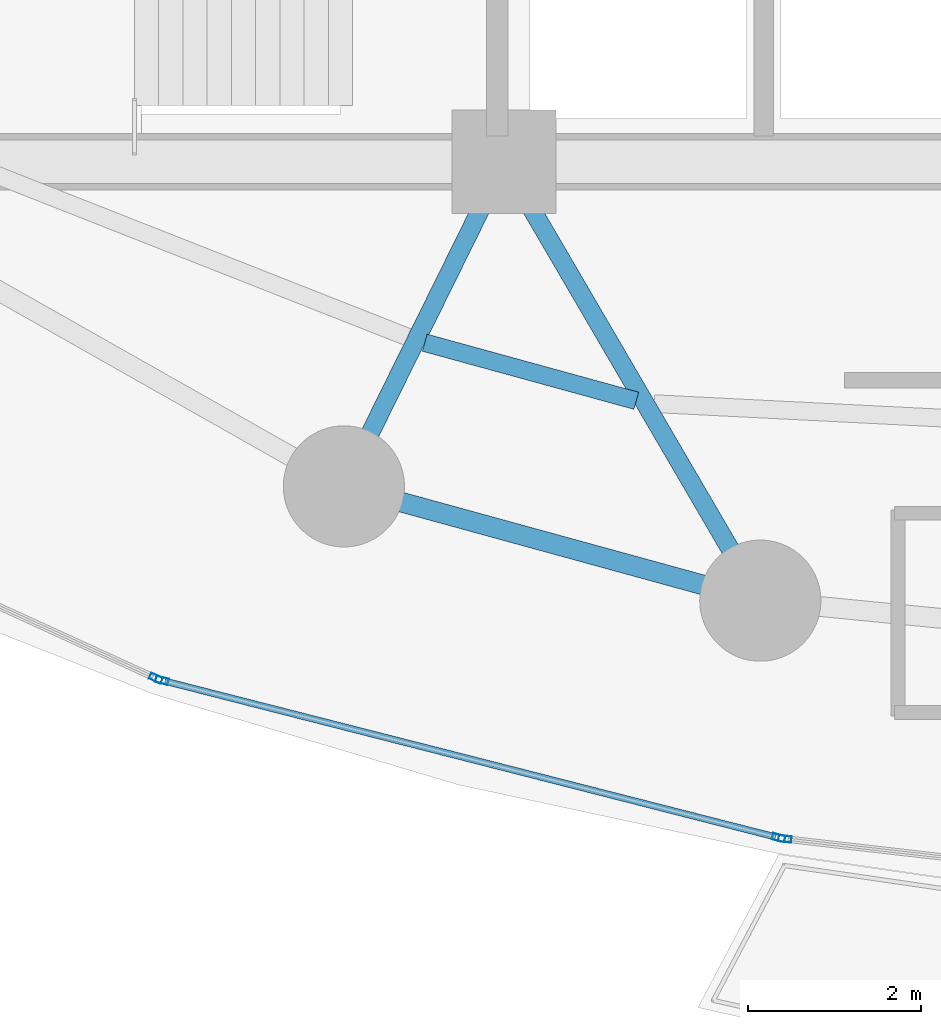
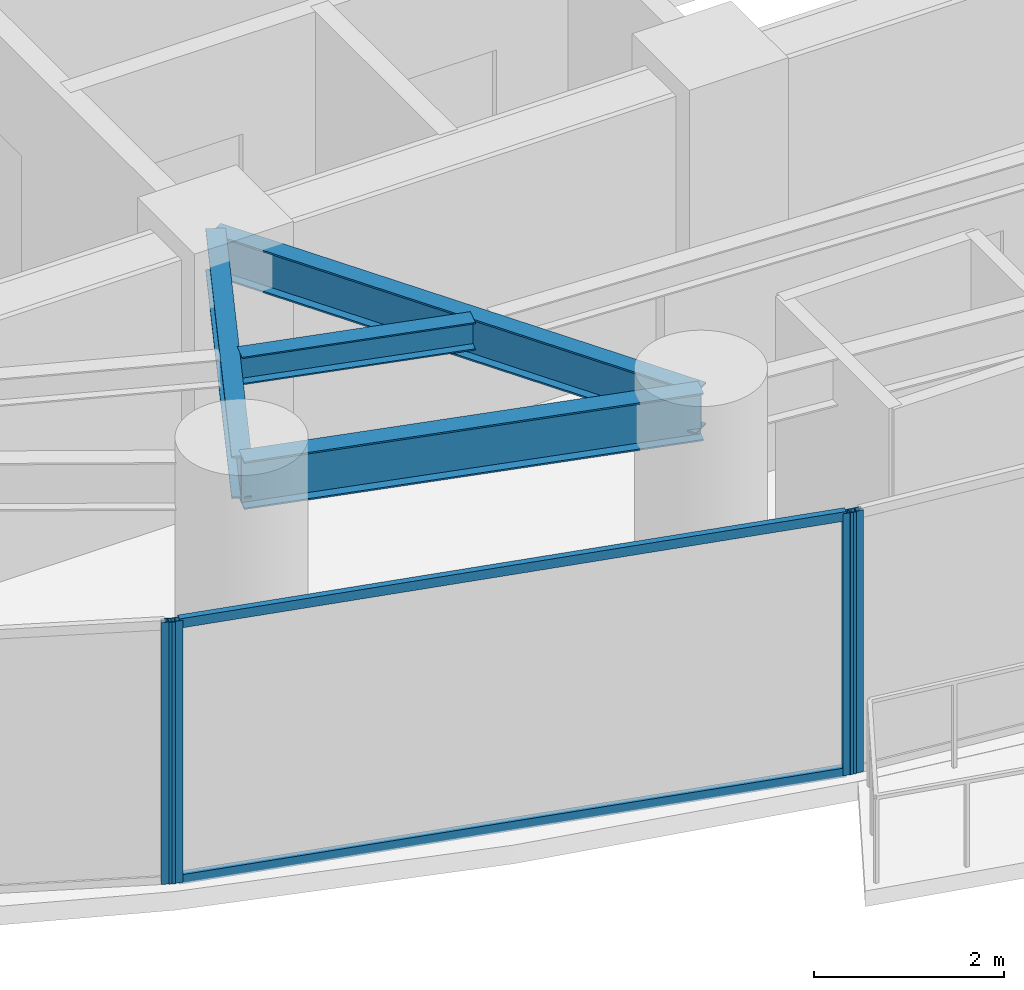
# One storey, part 5 of 33: 6 members, 4 beams, 3 elements without a shape of their own.
"""IFC4 building model written with IfcOpenShell, lengths in metres."""

from ifc_helpers import new_model, si_unit, direction, frame, origin, origin_2d, place, context, subcontext, project, spatial, hollow_rectangle, i_section, extrude, material, layer, layer_set, material_profile, profile_set, type_object, element, aggregate, save


model = new_model("IFC4")

# Units and contexts
model_context = context("Model", 3, precision=1e-05, world=origin(), true_north=direction((0.0, 1.0)))
body_context = subcontext(model_context, "Body", "Model", "MODEL_VIEW")
ifc_project = project(units=[si_unit("LENGTHUNIT", "METRE"), si_unit("AREAUNIT", "SQUARE_METRE"), si_unit("VOLUMEUNIT", "CUBIC_METRE"), si_unit("PLANEANGLEUNIT", "RADIAN"), si_unit("MASSUNIT", "GRAM", prefix="KILO")], contexts=[model_context])

# Site, building, storey
site_placement = place(None, origin())
site = spatial("IfcSite", under=ifc_project, at=site_placement, CompositionType="ELEMENT")
building_placement = place(site_placement, origin())
building = spatial("IfcBuilding", under=site, at=building_placement, Name="Kazevale Care Tower and Concert Hall", CompositionType="ELEMENT")
storey_placement = place(building_placement, frame((0.0, 0.0, 27.60009765625)))
storey = spatial("IfcBuildingStorey", under=building, at=storey_placement, Name="L06", CompositionType="ELEMENT", Elevation=27.60009765625)

# Curtain wall, member
ifc_material_1 = material(Name="Aluminium 6063-T6 and Low-E Glass", Category="aluminium")
ifc_layer = layer(ifc_material_1, 0.179931640625)
ifc_layer_set = layer_set([ifc_layer], Name="Aluminium 6063-T6 and Low-E Glass")
curtain_wall_type = type_object("IfcCurtainWallType", Name="Sheltered Concave Balcony Curtain Wall CW-5", PredefinedType="NOTDEFINED", material=ifc_layer_set)
curtain_wall_1_placement = place(storey_placement, origin())
curtain_wall_1 = element("IfcCurtainWall", 1, at=curtain_wall_1_placement, inside=storey, type_object=curtain_wall_type, Name="cw:L06:f07", PredefinedType="NOTDEFINED")
ifc_material_2 = material(Name="Aluminium 6063-T6", Category="aluminium")
ifc_material_profile_1 = material_profile(ifc_material_2, hollow_rectangle(XDim=0.074951171875, YDim=0.14990234375, WallThickness=0.00390625, at=origin_2d()), Name="ALU75x150x4")
ifc_profile_set_1 = profile_set([ifc_material_profile_1], Name="Aluminium 6063-T6")
member_type_1 = type_object("IfcMemberType", Name="CW-5 Mullion ALU75x150x4", PredefinedType="MULLION", material=ifc_profile_set_1)
member_1_placement = place(storey_placement, frame((33.245361328125, 15.77783203125, 0.0), z_axis=(0.0, 0.0, 1.0), x_axis=(-0.113704773808, -0.993514581883, 0.0)))
member_1 = element("IfcMember", 2, at=member_1_placement, type_object=member_type_1, Name="CW-5 mullion 2", PredefinedType="MULLION", context=body_context, shape_type="SweptSolid", body=[
    extrude(hollow_rectangle(XDim=0.074951171875, YDim=0.14990234375, WallThickness=0.00390625, at=origin_2d()), origin(), (0.0, 0.0, 1.0), 3.35986328125),
])
aggregate(curtain_wall_1, [member_1])

# Curtain wall, members
curtain_wall_2_placement = place(storey_placement, origin())
curtain_wall_2 = element("IfcCurtainWall", 3, at=curtain_wall_2_placement, inside=storey, type_object=curtain_wall_type, Name="cw:L06:f08", PredefinedType="NOTDEFINED")
member_2_placement = place(storey_placement, frame((33.171630859375, 15.791259765625, 0.0), z_axis=(0.0, 0.0, 1.0), x_axis=(-0.247221864936, -0.968958899798, 0.0)))
member_2 = element("IfcMember", 4, at=member_2_placement, type_object=member_type_1, Name="CW-5 mullion 1", PredefinedType="MULLION", context=body_context, shape_type="SweptSolid", body=[
    extrude(hollow_rectangle(XDim=0.074951171875, YDim=0.14990234375, WallThickness=0.00390625, at=origin_2d()), origin(), (0.0, 0.0, 1.0), 3.35986328125),
])
member_3_placement = place(storey_placement, frame((26.04833984375, 17.608642578125, 0.0), z_axis=(0.0, 0.0, 1.0), x_axis=(-0.247221864936, -0.968958899798, 0.0)))
member_3 = element("IfcMember", 5, at=member_3_placement, type_object=member_type_1, Name="CW-5 mullion 2", PredefinedType="MULLION", context=body_context, shape_type="SweptSolid", body=[
    extrude(hollow_rectangle(XDim=0.074951171875, YDim=0.14990234375, WallThickness=0.00390625, at=origin_2d()), origin(), (0.0, 0.0, 1.0), 3.35986328125),
])

# Curtain wall, member
curtain_wall_3_placement = place(storey_placement, origin())
curtain_wall_3 = element("IfcCurtainWall", 6, at=curtain_wall_3_placement, inside=storey, type_object=curtain_wall_type, Name="cw:L06:f09", PredefinedType="NOTDEFINED")
member_4_placement = place(storey_placement, frame((25.977783203125, 17.633544921875, 0.0), z_axis=(0.0, 0.0, 1.0), x_axis=(-0.415659767773, -0.909520179795, 0.0)))
member_4 = element("IfcMember", 7, at=member_4_placement, type_object=member_type_1, Name="CW-5 mullion 1", PredefinedType="MULLION", context=body_context, shape_type="SweptSolid", body=[
    extrude(hollow_rectangle(XDim=0.074951171875, YDim=0.14990234375, WallThickness=0.00390625, at=origin_2d()), origin(), (0.0, 0.0, 1.0), 3.35986328125),
])
aggregate(curtain_wall_3, [member_4])

# Member
ifc_material_profile_2 = material_profile(ifc_material_2, hollow_rectangle(XDim=0.074951171875, YDim=0.1201171875, WallThickness=0.00390625, at=origin_2d()), Name="ALU75x120x4")
ifc_profile_set_2 = profile_set([ifc_material_profile_2], Name="Aluminium 6063-T6")
member_type_2 = type_object("IfcMemberType", Name="CW-5 Transom ALU75x120x4", PredefinedType="USERDEFINED", material=ifc_profile_set_2)
member_5_placement = place(storey_placement, frame((33.13525390625, 15.800537109375, 0.037353515625), z_axis=(-0.968960816419, 0.24721435283, 0.0), x_axis=(-0.24721435283, -0.968960816419, 0.0)))
member_5 = element("IfcMember", 8, at=member_5_placement, type_object=member_type_2, Name="CW-5 transom 1.1", ObjectType="TRANSOM", PredefinedType="USERDEFINED", context=body_context, shape_type="SweptSolid", body=[
    extrude(hollow_rectangle(XDim=0.074951171875, YDim=0.1201171875, WallThickness=0.00390625, at=origin_2d()), origin(), (0.0, 0.0, 1.0), 7.2763671875),
])

member_6_placement = place(storey_placement, frame((33.13525390625, 15.800537109375, 3.322509765625), z_axis=(-0.968960816419, 0.24721435283, 0.0), x_axis=(-0.24721435283, -0.968960816419, 0.0)))
member_6 = element("IfcMember", 9, at=member_6_placement, type_object=member_type_2, Name="CW-5 transom 1.2", ObjectType="TRANSOM", PredefinedType="USERDEFINED", context=body_context, shape_type="SweptSolid", body=[
    extrude(hollow_rectangle(XDim=0.074951171875, YDim=0.1201171875, WallThickness=0.00390625, at=origin_2d()), origin(), (0.0, 0.0, 1.0), 7.2763671875),
])

aggregate(curtain_wall_2, [member_2, member_3, member_5, member_6])

# Beams
ifc_material_3 = material(Name="Steel ASTM A572 Gr 50", Category="steel")
ifc_material_profile_3 = material_profile(ifc_material_3, i_section(OverallWidth=0.2119140625, OverallDepth=0.5439453125, WebThickness=0.01318359375, FlangeThickness=0.021240234375, at=origin_2d()), Name="W530x123")
ifc_profile_set_3 = profile_set([ifc_material_profile_3], Name="Steel ASTM A572 Gr 50")
beam_type_1 = type_object("IfcBeamType", Name="Radial Floor Girder W530x123", PredefinedType="BEAM", material=ifc_profile_set_3)
beam_1_placement = place(storey_placement, frame((30.0, 23.60009765625, 3.087890625), z_axis=(-0.442443019162, -0.896796618412, 0.0), x_axis=(0.896796618412, -0.442443019162, 0.0)))
element("IfcBeam", 10, at=beam_1_placement, inside=storey, type_object=beam_type_1, Name="beam:L06:rad:11", PredefinedType="BEAM", context=body_context, shape_type="SweptSolid", body=[
    extrude(i_section(OverallWidth=0.2119140625, OverallDepth=0.5439453125, WebThickness=0.01318359375, FlangeThickness=0.021240234375, at=origin_2d()), origin(), (0.0, 0.0, 1.0), 4.181640625),
])
beam_2_placement = place(storey_placement, frame((30.0, 23.60009765625, 3.087890625), z_axis=(0.50417868077, -0.86359936189, 0.0), x_axis=(0.86359936189, 0.50417868077, 0.0)))
element("IfcBeam", 11, at=beam_2_placement, inside=storey, type_object=beam_type_1, Name="beam:L06:rad:12", PredefinedType="BEAM", context=body_context, shape_type="SweptSolid", body=[
    extrude(i_section(OverallWidth=0.2119140625, OverallDepth=0.5439453125, WebThickness=0.01318359375, FlangeThickness=0.021240234375, at=origin_2d()), origin(), (0.0, 0.0, 1.0), 5.870849609375),
])
ifc_material_profile_4 = material_profile(ifc_material_3, i_section(OverallWidth=0.22900390625, OverallDepth=0.612060546875, WebThickness=0.011962890625, FlangeThickness=0.01953125, at=origin_2d()), Name="W610x125")
ifc_profile_set_4 = profile_set([ifc_material_profile_4], Name="Steel ASTM A572 Gr 50")
beam_type_2 = type_object("IfcBeamType", Name="Ring Spandrel Beam W610x125", PredefinedType="SPANDREL", material=ifc_profile_set_4)
beam_3_placement = place(storey_placement, frame((28.14990234375, 19.85009765625, 3.053955078125), z_axis=(0.964343540473, -0.264653615031, 0.0), x_axis=(0.264653615031, 0.964343540473, 0.0)))
element("IfcBeam", 12, at=beam_3_placement, inside=storey, type_object=beam_type_2, Name="beam:L06:ring:11", PredefinedType="SPANDREL", context=body_context, shape_type="SweptSolid", body=[
    extrude(i_section(OverallWidth=0.22900390625, OverallDepth=0.612060546875, WebThickness=0.011962890625, FlangeThickness=0.01953125, at=origin_2d()), origin(), (0.0, 0.0, 1.0), 4.98779296875),
])
ifc_material_profile_5 = material_profile(ifc_material_3, i_section(OverallWidth=0.205078125, OverallDepth=0.35400390625, WebThickness=0.009521484375, FlangeThickness=0.016845703125, at=origin_2d()), Name="W360x79")
ifc_profile_set_5 = profile_set([ifc_material_profile_5], Name="Steel ASTM A572 Gr 50")
beam_type_3 = type_object("IfcBeamType", Name="Secondary Floor Joist W360x79", PredefinedType="JOIST", material=ifc_profile_set_5)
beam_4_placement = place(storey_placement, frame((29.083984375, 21.510009765625, 3.182861328125), z_axis=(0.964302027389, -0.264804833743, 0.0), x_axis=(0.264804833743, 0.964302027389, 0.0)))
element("IfcBeam", 13, at=beam_4_placement, inside=storey, type_object=beam_type_3, Name="beam:L06:joist:11", PredefinedType="JOIST", context=body_context, shape_type="SweptSolid", body=[
    extrude(i_section(OverallWidth=0.205078125, OverallDepth=0.35400390625, WebThickness=0.009521484375, FlangeThickness=0.016845703125, at=origin_2d()), origin(), (0.0, 0.0, 1.0), 2.533447265625),
])

save(model, "model.ifc")
